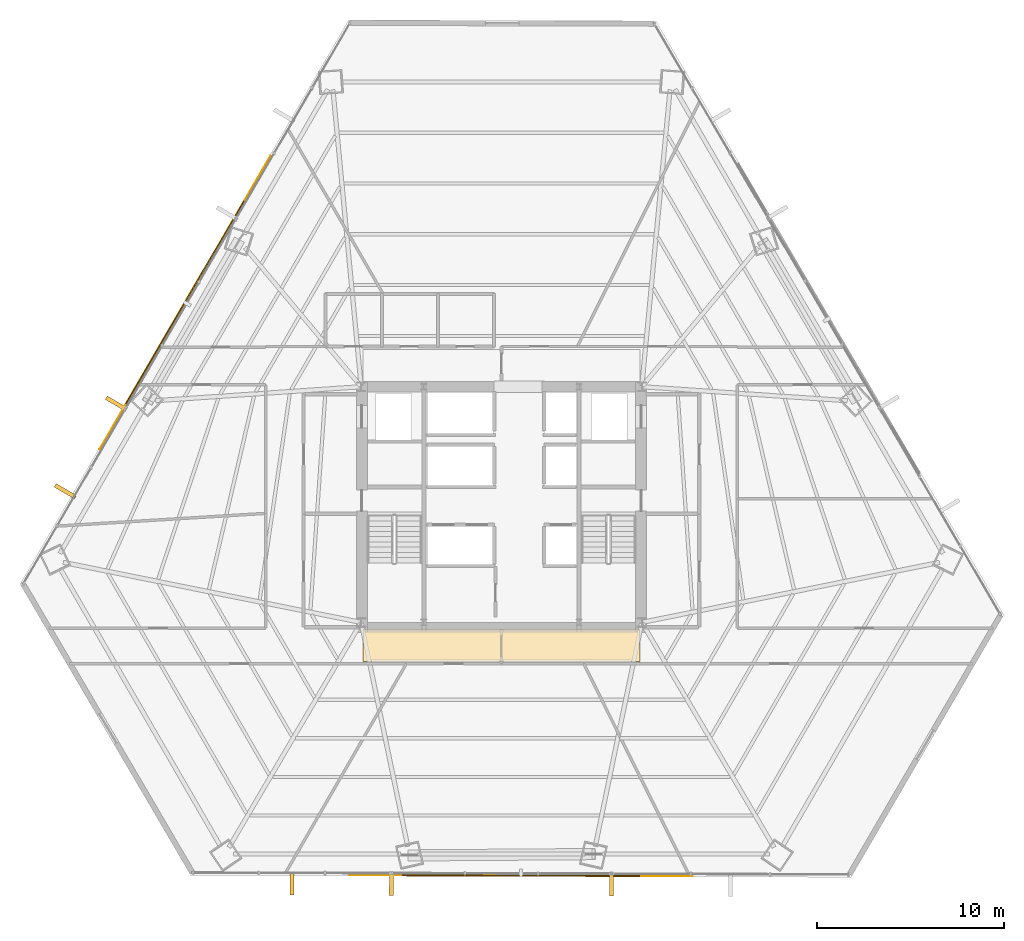
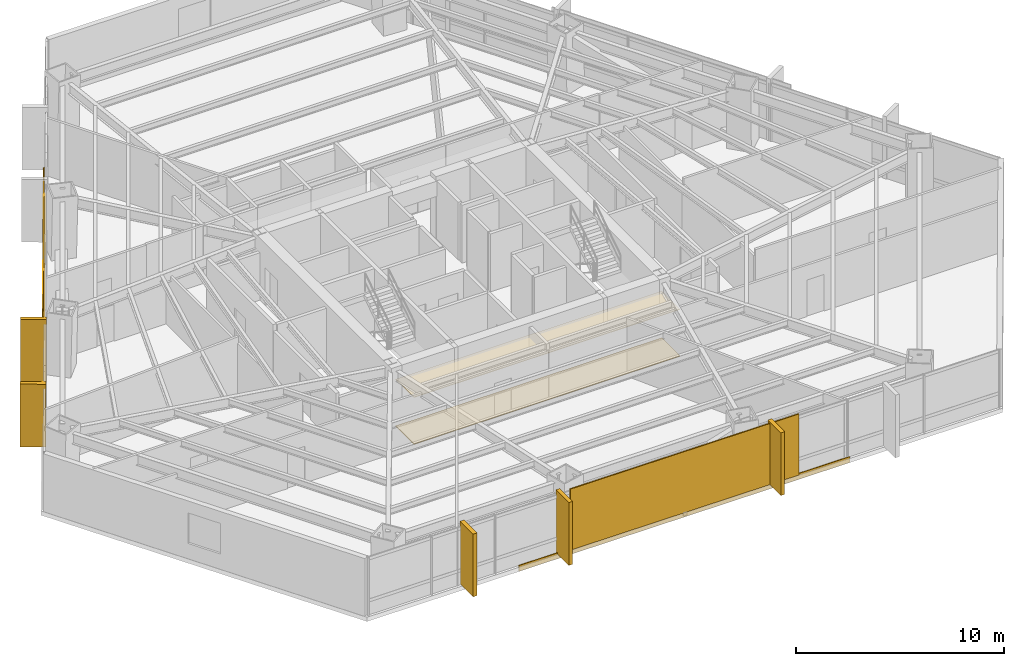
# One storey, part 31 of 33: 9 coverings, 2 shading devices.
"""IFC4 building model written with IfcOpenShell, lengths in metres."""

from ifc_helpers import new_model, si_unit, direction, frame, origin, origin_2d, place, context, subcontext, project, spatial, polyline, rectangle, outline, extrude, source, transform, mapped, material, layer, layer_set, type_object, type_shapes, element, save


model = new_model("IFC4")

# Units and contexts
model_context = context("Model", 3, precision=1e-05, world=origin(), true_north=direction((0.0, 1.0)))
body_context = subcontext(model_context, "Body", "Model", "MODEL_VIEW")
ifc_project = project(units=[si_unit("LENGTHUNIT", "METRE"), si_unit("AREAUNIT", "SQUARE_METRE"), si_unit("VOLUMEUNIT", "CUBIC_METRE"), si_unit("PLANEANGLEUNIT", "RADIAN"), si_unit("MASSUNIT", "GRAM", prefix="KILO")], contexts=[model_context])

# Site, building, storey
site_placement = place(None, origin())
site = spatial("IfcSite", under=ifc_project, at=site_placement, CompositionType="ELEMENT")
building_placement = place(site_placement, origin())
building = spatial("IfcBuilding", under=site, at=building_placement, Name="Caelisora Broadcast Tower", CompositionType="ELEMENT")
storey_placement = place(building_placement, frame((0.0, 0.0, 34.89990234375)))
storey = spatial("IfcBuildingStorey", under=building, at=storey_placement, Name="L08", CompositionType="ELEMENT", Elevation=34.89990234375)

# Coverings
ifc_material_1 = material(Name="Perforated Mineral-Fibre Acoustic Ceiling Tile", Category="gypsum")
ifc_layer_1 = layer(ifc_material_1, 0.034912109375, Name="Perforated Mineral-Fibre Acoustic Ceiling Tile")
ifc_layer_set_1 = layer_set([ifc_layer_1], Name="Perforated Mineral-Fibre Acoustic Ceiling Tile")
covering_type_1 = type_object("IfcCoveringType", Name="CE-1", PredefinedType="CEILING", material=ifc_layer_set_1)
covering_1_placement = place(storey_placement, frame((0.0, 0.0, 2.75)))
element("IfcCovering", 1, at=covering_1_placement, inside=storey, type_object=covering_type_1, Name="L08 acoustic corridor ceiling CE-1 (S)", PredefinedType="CEILING", context=body_context, shape_type="SweptSolid", body=[
    extrude(outline(polyline([(30.60009765625, 15.300048828125), (45.39990234375, 15.300048828125), (45.39990234375, 17.050048828125), (30.60009765625, 17.050048828125), (30.60009765625, 15.300048828125)])), origin(), (0.0, 0.0, 1.0), 0.03515625),
])
ifc_material_2 = material(Name="Anti-Static Broadcast Raised Access Floor Panel", Category="steel")
ifc_layer_2 = layer(ifc_material_2, 0.044921875, Name="Anti-Static Broadcast Raised Access Floor Panel")
ifc_layer_set_2 = layer_set([ifc_layer_2], Name="Anti-Static Broadcast Raised Access Floor Panel")
covering_type_2 = type_object("IfcCoveringType", Name="FL-1", PredefinedType="FLOORING", material=ifc_layer_set_2)
covering_2_placement = place(storey_placement, origin())
element("IfcCovering", 2, at=covering_2_placement, inside=storey, type_object=covering_type_2, Name="L08 broadcast raised access floor FL-1 (S)", PredefinedType="FLOORING", context=body_context, shape_type="SweptSolid", body=[
    extrude(outline(polyline([(30.60009765625, 15.300048828125), (45.39990234375, 15.300048828125), (45.39990234375, 17.050048828125), (30.60009765625, 17.050048828125), (30.60009765625, 15.300048828125)])), origin(), (0.0, 0.0, 1.0), 0.045166015625),
])
ifc_material_3 = material(Name="Kiln-Fired Terracotta Spandrel Rainscreen Cladding", Category="ceramic")
ifc_layer_3 = layer(ifc_material_3, 0.044921875, Name="Kiln-Fired Terracotta Spandrel Rainscreen Cladding")
ifc_layer_set_3 = layer_set([ifc_layer_3], Name="Kiln-Fired Terracotta Spandrel Rainscreen Cladding")
covering_type_3 = type_object("IfcCoveringType", Name="CL-1", PredefinedType="CLADDING", material=ifc_layer_set_3)
shared_shape_1 = source(origin(), body_context, "Body", "SweptSolid", [
    extrude(rectangle(XDim=0.219970703125, YDim=1.25, at=origin_2d()), origin(), (0.0, 0.0, 1.0), 3.68994140625),
])
for number, where, z_axis, x_axis, name in (
    (3, (43.880859375, 3.397216796875, -0.019775390625), (0.0, 0.0, 1.0), (-0.9999961009, 0.002792523174, 0.0), "L08 vertical solar fin cladding #2-2"),
    (4, (32.110595703125, 3.4296875, -0.019775390625), (0.0, 0.0, 1.0), (-0.9999961009, 0.002792523174, 0.0), "L08 vertical solar fin cladding #2-3"),
    (5, (26.79345703125, 3.4443359375, -0.019775390625), (0.0, 0.0, 1.0), (-0.9999961009, 0.002792523174, 0.0), "L08 vertical solar fin cladding #2-4"),
    (6, (14.680908203125, 24.412841796875, -0.019775390625), (0.0, 0.0, 1.0), (0.503321604797, 0.864099162217, 0.0), "L08 vertical solar fin cladding #3-1"),
    (7, (17.40966796875, 29.097900390625, -0.019775390625), (0.0, 0.0, 1.0), (0.503321604797, 0.864099162217, 0.0), "L08 vertical solar fin cladding #3-2"),
):
    element("IfcCovering", number, at=place(storey_placement, frame(where, z_axis=z_axis, x_axis=x_axis)), inside=storey, type_object=covering_type_3, Name=name, PredefinedType="CLADDING", context=body_context, shape_type="MappedRepresentation", body=[
        mapped(shared_shape_1, transform((0.0, 0.0, 0.0), scale=1.0)),
    ])

# Shading device
ifc_material_4 = material(Name="Perforated Glazed Terracotta Baguette Solar Screen", Category="ceramic")
ifc_layer_4 = layer(ifc_material_4, 0.06494140625, Name="Perforated Glazed Terracotta Baguette Solar Screen")
ifc_layer_set_4 = layer_set([ifc_layer_4], Name="Perforated Glazed Terracotta Baguette Solar Screen")
shading_device_type = type_object("IfcShadingDeviceType", Name="SS-1", PredefinedType="USERDEFINED", material=ifc_layer_set_4)
shared_shape_2 = source(origin(), body_context, "Body", "SweptSolid", [
    extrude(rectangle(XDim=12.56396484375, YDim=0.06494140625, at=origin_2d()), origin(), (0.0, 0.0, 1.0), 3.590087890625),
])
shading_device_1_placement = place(storey_placement, frame((21.0791015625, 34.50439453125, 0.0), z_axis=(0.0, 0.0, 1.0), x_axis=(-0.503321604797, -0.864099162217, 0.0)))
element("IfcShadingDevice", 8, at=shading_device_1_placement, inside=storey, type_object=shading_device_type, Name="L08 perforated terracotta solar screen #1", ObjectType="SOLAR SCREEN", PredefinedType="USERDEFINED", context=body_context, shape_type="MappedRepresentation", body=[
    mapped(shared_shape_2, transform((0.0, 0.0, 0.0), scale=1.0)),
])

# Covering
shared_shape_3 = source(origin(), body_context, "Body", "SweptSolid", [
    extrude(rectangle(XDim=18.14794921875, YDim=0.044921875, at=origin_2d()), origin(), (0.0, 0.0, 1.0), 0.340087890625),
])
covering_3_placement = place(storey_placement, frame((21.09619140625, 34.494384765625, -0.27001953125), z_axis=(0.0, 0.0, 1.0), x_axis=(-0.503321604797, -0.864099162217, 0.0)))
element("IfcCovering", 9, at=covering_3_placement, inside=storey, type_object=covering_type_3, Name="L08 terracotta spandrel rainscreen #1", PredefinedType="CLADDING", context=body_context, shape_type="MappedRepresentation", body=[
    mapped(shared_shape_3, transform((0.0, 0.0, 0.0), scale=1.0)),
])

# Shading device
shared_shape_4 = source(origin(), body_context, "Body", "SweptSolid", [
    extrude(rectangle(XDim=12.70703125, YDim=0.06494140625, at=origin_2d()), origin(), (0.0, 0.0, 1.0), 3.590087890625),
])
type_shapes(shading_device_type, [shared_shape_2, shared_shape_4])
shading_device_2_placement = place(storey_placement, frame((39.04052734375, 3.860595703125, 0.0), z_axis=(0.0, 0.0, 1.0), x_axis=(0.9999961009, -0.002792523174, 0.0)))
element("IfcShadingDevice", 10, at=shading_device_2_placement, inside=storey, type_object=shading_device_type, Name="L08 perforated terracotta solar screen #2", ObjectType="SOLAR SCREEN", PredefinedType="USERDEFINED", context=body_context, shape_type="MappedRepresentation", body=[
    mapped(shared_shape_4, transform((0.0, 0.0, 0.0), scale=1.0)),
])

# Covering
shared_shape_5 = source(origin(), body_context, "Body", "SweptSolid", [
    extrude(rectangle(XDim=18.35498046875, YDim=0.044921875, at=origin_2d()), origin(), (0.0, 0.0, 1.0), 0.340087890625),
])
type_shapes(covering_type_3, [shared_shape_1, shared_shape_3, shared_shape_5])
covering_4_placement = place(storey_placement, frame((39.040771484375, 3.880615234375, -0.27001953125), z_axis=(0.0, 0.0, 1.0), x_axis=(0.9999961009, -0.002792523174, 0.0)))
element("IfcCovering", 11, at=covering_4_placement, inside=storey, type_object=covering_type_3, Name="L08 terracotta spandrel rainscreen #2", PredefinedType="CLADDING", context=body_context, shape_type="MappedRepresentation", body=[
    mapped(shared_shape_5, transform((0.0, 0.0, 0.0), scale=1.0)),
])

save(model, "model.ifc")
